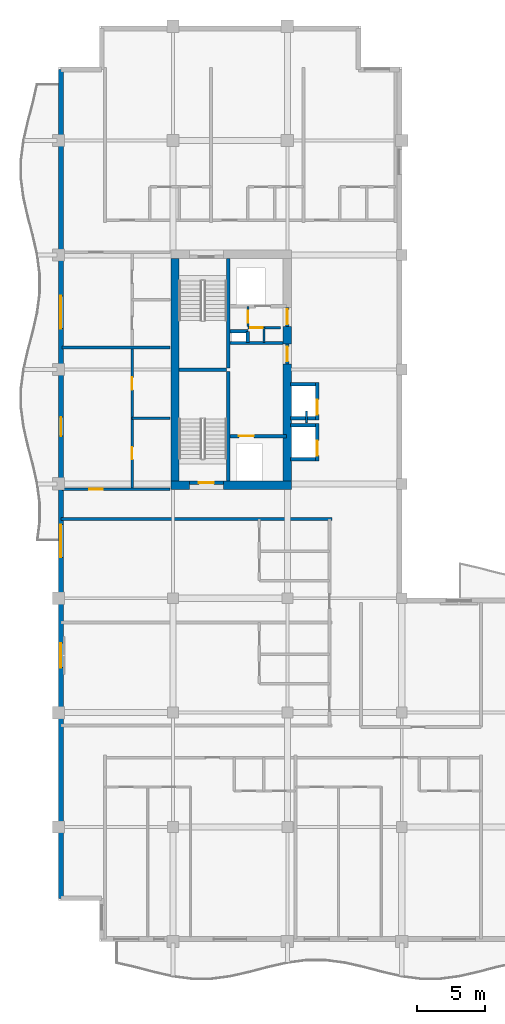
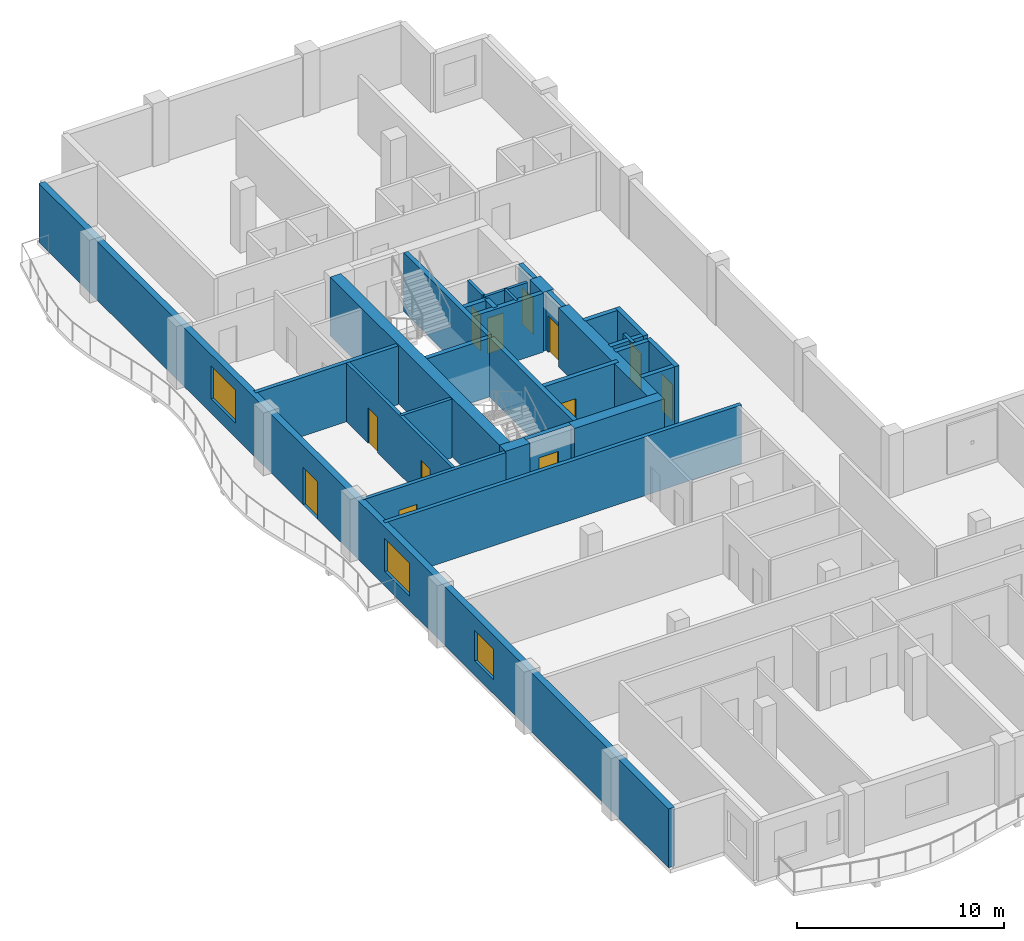
# One storey, part 6 of 12: 31 walls, 12 doors, 3 windows, 15 openings.
"""IFC4 building model written with IfcOpenShell, lengths in metres."""

from ifc_helpers import new_model, si_unit, direction, frame, frame_2d, origin, place, context, subcontext, project, spatial, rectangle, extrude, material, layer, layer_set, type_object, element, fill, save


model = new_model("IFC4")

# Units and contexts
model_context = context("Model", 3, precision=1e-05, world=origin(), true_north=direction((0.0, 1.0)))
body_context = subcontext(model_context, "Body", "Model", "MODEL_VIEW")
ifc_project = project(units=[si_unit("LENGTHUNIT", "METRE"), si_unit("AREAUNIT", "SQUARE_METRE"), si_unit("VOLUMEUNIT", "CUBIC_METRE"), si_unit("PLANEANGLEUNIT", "RADIAN"), si_unit("MASSUNIT", "GRAM", prefix="KILO")], contexts=[model_context])

# Site, building, storey
site_placement = place(None, origin())
site = spatial("IfcSite", under=ifc_project, at=site_placement, CompositionType="ELEMENT")
building_placement = place(site_placement, origin())
building = spatial("IfcBuilding", under=site, at=building_placement, Name="Koriwani Terraces Tower", CompositionType="ELEMENT")
storey_placement = place(building_placement, frame((0.0, 0.0, 263.800048828125)))
storey = spatial("IfcBuildingStorey", under=building, at=storey_placement, Name="L65", CompositionType="ELEMENT", Elevation=263.800048828125)

# Walls
ifc_material_1 = material(Name="Concrete C60/75", Category="concrete")
ifc_layer_1 = layer(ifc_material_1, 0.60009765625, Name="Concrete C60/75")
ifc_layer_set_1 = layer_set([ifc_layer_1], Name="Concrete C60/75")
wall_type_1 = type_object("IfcWallType", Name="WALL_CORE_RC_600", PredefinedType="SHEAR", material=ifc_layer_set_1)
wall_1_placement = place(storey_placement, frame((16.64990234375, 41.89990234375, 0.0), z_axis=(0.0, 0.0, 1.0), x_axis=(1.0, 0.0, 0.0)))
element("IfcWall", 1, at=wall_1_placement, inside=storey, type_object=wall_type_1, Name="L65 West Split Core Shear Wall S1", PredefinedType="SHEAR", context=body_context, shape_type="SweptSolid", body=[
    extrude(rectangle(XDim=1.35009765625, YDim=0.60009765625, at=frame_2d((0.675048828125, 0.0))), origin(), (0.0, 0.0, 1.0), 3.469970703125),
])
wall_2_placement = place(storey_placement, frame((20.5, 41.89990234375, 0.0), z_axis=(0.0, 0.0, 1.0), x_axis=(1.0, 0.0, 0.0)))
element("IfcWall", 2, at=wall_2_placement, inside=storey, type_object=wall_type_1, Name="L65 West Split Core Shear Wall S2", PredefinedType="SHEAR", context=body_context, shape_type="SweptSolid", body=[
    extrude(rectangle(XDim=5.0, YDim=0.60009765625, at=frame_2d((2.5, 0.0))), origin(), (0.0, 0.0, 1.0), 3.469970703125),
])
wall_3_placement = place(storey_placement, frame((16.949951171875, 42.199951171875, 0.0), z_axis=(0.0, 0.0, 1.0), x_axis=(0.0, 1.0, 0.0)))
element("IfcWall", 3, at=wall_3_placement, inside=storey, type_object=wall_type_1, Name="L65 West Split Core Shear Wall W1", PredefinedType="SHEAR", context=body_context, shape_type="SweptSolid", body=[
    extrude(rectangle(XDim=16.35009765625, YDim=0.60009765625, at=frame_2d((8.175048828125, 0.0))), origin(), (0.0, 0.0, 1.0), 3.469970703125),
])
wall_4_placement = place(storey_placement, frame((25.199951171875, 42.199951171875, 0.0), z_axis=(0.0, 0.0, 1.0), x_axis=(0.0, 1.0, 0.0)))
element("IfcWall", 4, at=wall_4_placement, inside=storey, type_object=wall_type_1, Name="L65 West Split Core Shear Wall E1", PredefinedType="SHEAR", context=body_context, shape_type="SweptSolid", body=[
    extrude(rectangle(XDim=8.60009765625, YDim=0.60009765625, at=frame_2d((4.300048828125, 0.0))), origin(), (0.0, 0.0, 1.0), 3.469970703125),
])
wall_5_placement = place(storey_placement, frame((25.199951171875, 52.280029296875, 0.0), z_axis=(0.0, 0.0, 1.0), x_axis=(0.0, 1.0, 0.0)))
element("IfcWall", 5, at=wall_5_placement, inside=storey, type_object=wall_type_1, Name="L65 West Split Core Shear Wall E2", PredefinedType="SHEAR", context=body_context, shape_type="SweptSolid", body=[
    extrude(rectangle(XDim=1.27001953125, YDim=0.60009765625, at=frame_2d((0.635009765625, 0.0))), origin(), (0.0, 0.0, 1.0), 3.469970703125),
])

# Wall, opening, door
ifc_material_2 = material(Name="Autoclaved Cellular Concrete Blockwork", Category="masonry")
ifc_layer_2 = layer(ifc_material_2, 0.199951171875, Name="Autoclaved Cellular Concrete Blockwork")
ifc_layer_set_2 = layer_set([ifc_layer_2], Name="Autoclaved Cellular Concrete Blockwork")
wall_type_2 = type_object("IfcWallType", Name="WALL_CORRIDOR_200", PredefinedType="PARTITIONING", material=ifc_layer_set_2)
wall_6_placement = place(storey_placement, frame((8.64990234375, 41.60009765625, 0.0), z_axis=(0.0, 0.0, 1.0), x_axis=(1.0, 0.0, 0.0)))
wall_6 = element("IfcWall", 6, at=wall_6_placement, inside=storey, type_object=wall_type_2, Name="L65 Interior Wall WRZ4-WS-L65", PredefinedType="PARTITIONING", context=body_context, shape_type="SweptSolid", body=[
    extrude(rectangle(XDim=7.9501953125, YDim=0.199951171875, at=frame_2d((3.97509765625, 0.0))), origin(), (0.0, 0.0, 1.0), 3.469970703125),
])
opening_1_placement = place(wall_6_placement, frame((2.0, 0.0, 0.0)))
opening_1 = element("IfcOpeningElement", 7, at=opening_1_placement, cuts=wall_6, Name="Opening D-05", PredefinedType="OPENING", context=body_context, shape_type="SweptSolid", body=[
    extrude(rectangle(XDim=1.0, YDim=2.14990234375, at=frame_2d((0.5, 1.074951171875))), frame((0.0, 0.10986328125, 0.0), z_axis=(0.0, -1.0, 0.0), x_axis=(1.0, 0.0, 0.0)), (0.0, 0.0, 1.0), 0.219970703125),
])
ifc_material_3 = material(Name="Architectural Oak Fire Door", Category="wood")
door_type_1 = type_object("IfcDoorType", Name="DOOR_SUITE_ENTRY_1000X2150", OperationType="NOTDEFINED", PredefinedType="DOOR", material=ifc_material_3)
door_1_placement = place(opening_1_placement, origin())
door_1 = element("IfcDoor", 8, at=door_1_placement, inside=storey, type_object=door_type_1, Name="Apartment 65RW1 Entrance Door", OperationType="SINGLE_SWING_RIGHT", OverallHeight=2.14990234375, OverallWidth=1.0, PredefinedType="DOOR", context=body_context, shape_type="SweptSolid", body=[
    extrude(rectangle(XDim=1.0, YDim=2.14990234375, at=frame_2d((0.5, 1.074951171875))), frame((0.0, 0.02490234375, 0.0), z_axis=(0.0, -1.0, 0.0), x_axis=(1.0, 0.0, 0.0)), (0.0, 0.0, 1.0), 0.050048828125),
])
fill(opening_1, door_1)

# Walls
ifc_layer_3 = layer(ifc_material_2, 0.219970703125, Name="Autoclaved Cellular Concrete Blockwork")
ifc_layer_set_3 = layer_set([ifc_layer_3], Name="Autoclaved Cellular Concrete Blockwork")
wall_type_3 = type_object("IfcWallType", Name="WALL_DEMISING_220", PredefinedType="PARTITIONING", material=ifc_layer_set_3)
wall_7_placement = place(storey_placement, frame((8.64990234375, 52.0, 0.0), z_axis=(0.0, 0.0, 1.0), x_axis=(1.0, 0.0, 0.0)))
element("IfcWall", 9, at=wall_7_placement, inside=storey, type_object=wall_type_3, Name="L65 Interior Wall WRZ4-WM-L65", PredefinedType="PARTITIONING", context=body_context, shape_type="SweptSolid", body=[
    extrude(rectangle(XDim=7.9501953125, YDim=0.219970703125, at=frame_2d((3.97509765625, 0.0))), origin(), (0.0, 0.0, 1.0), 3.469970703125),
])
wall_8_placement = place(storey_placement, frame((8.60009765625, 39.39990234375, 0.0), z_axis=(0.0, 0.0, 1.0), x_axis=(1.0, 0.0, 0.0)))
element("IfcWall", 10, at=wall_8_placement, inside=storey, type_object=wall_type_3, Name="L65 Interior Wall WRDEME-L65-NE", PredefinedType="PARTITIONING", context=body_context, shape_type="SweptSolid", body=[
    extrude(rectangle(XDim=19.8798828125, YDim=0.219970703125, at=frame_2d((9.93994140625, 0.0))), origin(), (0.0, 0.0, 1.0), 3.469970703125),
])

# Wall, openings, door, windows
ifc_material_4 = material(Name="Concrete C50/60", Category="concrete")
ifc_layer_4 = layer(ifc_material_4, 0.35009765625, Name="Concrete C50/60")
ifc_layer_set_4 = layer_set([ifc_layer_4], Name="Concrete C50/60")
wall_type_4 = type_object("IfcWallType", Name="WALL_EXT_BRUTALIST_350", PredefinedType="STANDARD", material=ifc_layer_set_4)
wall_9_placement = place(storey_placement, frame((8.574951171875, 11.574951171875, 0.0), z_axis=(0.0, 0.0, 1.0), x_axis=(0.0, 1.0, 0.0)))
wall_9 = element("IfcWall", 11, at=wall_9_placement, inside=storey, type_object=wall_type_4, Name="L65 Fair-Faced Brutalist Exterior Wall (W)", PredefinedType="STANDARD", context=body_context, shape_type="SweptSolid", body=[
    extrude(rectangle(XDim=60.85009765625, YDim=0.35009765625, at=frame_2d((30.425048828125, 0.0))), origin(), (0.0, 0.0, 1.0), 3.469970703125),
])
opening_2_placement = place(wall_9_placement, frame((33.925048828125, 0.0, 0.0)))
opening_2 = element("IfcOpeningElement", 12, at=opening_2_placement, cuts=wall_9, Name="Opening D-09", PredefinedType="OPENING", context=body_context, shape_type="SweptSolid", body=[
    extrude(rectangle(XDim=1.39990234375, YDim=2.199951171875, at=frame_2d((0.699951171875, 1.10009765625))), frame((0.0, 0.18505859375, 0.0), z_axis=(0.0, -1.0, 0.0), x_axis=(1.0, 0.0, 0.0)), (0.0, 0.0, 1.0), 0.3701171875),
])
opening_3_placement = place(wall_9_placement, frame((16.925048828125, 0.0, 0.85009765625)))
opening_3 = element("IfcOpeningElement", 13, at=opening_3_placement, cuts=wall_9, Name="Opening W-04", PredefinedType="OPENING", context=body_context, shape_type="SweptSolid", body=[
    extrude(rectangle(XDim=1.800048828125, YDim=1.800048828125, at=frame_2d((0.89990234375, 0.89990234375))), frame((0.0, 0.18505859375, 0.0), z_axis=(0.0, -1.0, 0.0), x_axis=(1.0, 0.0, 0.0)), (0.0, 0.0, 1.0), 0.3701171875),
])
opening_4_placement = place(wall_9_placement, frame((25.02490234375, 0.0, 0.85009765625)))
opening_4 = element("IfcOpeningElement", 14, at=opening_4_placement, cuts=wall_9, Name="Opening W-03", PredefinedType="OPENING", context=body_context, shape_type="SweptSolid", body=[
    extrude(rectangle(XDim=2.39990234375, YDim=1.949951171875, at=frame_2d((1.199951171875, 0.97509765625))), frame((0.0, 0.18505859375, 0.0), z_axis=(0.0, -1.0, 0.0), x_axis=(1.0, 0.0, 0.0)), (0.0, 0.0, 1.0), 0.3701171875),
])
opening_5_placement = place(wall_9_placement, frame((41.824951171875, 0.0, 0.85009765625)))
opening_5 = element("IfcOpeningElement", 15, at=opening_5_placement, cuts=wall_9, Name="Opening W-03", PredefinedType="OPENING", context=body_context, shape_type="SweptSolid", body=[
    extrude(rectangle(XDim=2.39990234375, YDim=1.949951171875, at=frame_2d((1.199951171875, 0.97509765625))), frame((0.0, 0.18505859375, 0.0), z_axis=(0.0, -1.0, 0.0), x_axis=(1.0, 0.0, 0.0)), (0.0, 0.0, 1.0), 0.3701171875),
])
ifc_material_5 = material(Name="Anodised Bronze Aluminium", Category="aluminium")
door_type_2 = type_object("IfcDoorType", Name="DOOR_BALCONY_GLAZED_1400X2200", OperationType="NOTDEFINED", PredefinedType="DOOR", material=ifc_material_5)
door_2_placement = place(opening_2_placement, origin())
door_2 = element("IfcDoor", 16, at=door_2_placement, inside=storey, type_object=door_type_2, Name="L65 West Balcony Glazed Door", OperationType="SINGLE_SWING_LEFT", OverallHeight=2.199951171875, OverallWidth=1.39990234375, PredefinedType="DOOR", context=body_context, shape_type="SweptSolid", body=[
    extrude(rectangle(XDim=1.39990234375, YDim=2.199951171875, at=frame_2d((0.699951171875, 1.10009765625))), frame((0.0, 0.02490234375, 0.0), z_axis=(0.0, -1.0, 0.0), x_axis=(1.0, 0.0, 0.0)), (0.0, 0.0, 1.0), 0.050048828125),
])
fill(opening_2, door_2)
ifc_material_6 = material(Name="Tempered Laminated Low-E Glass", Category="glass")
window_type_1 = type_object("IfcWindowType", Name="WIN_RES_BED_1800X1800", PartitioningType="DOUBLE_PANEL_VERTICAL", PredefinedType="WINDOW", material=ifc_material_6)
window_1_placement = place(opening_3_placement, origin())
window_1 = element("IfcWindow", 17, at=window_1_placement, inside=storey, type_object=window_type_1, Name="L65 Exterior Window (W-6)", OverallHeight=1.800048828125, OverallWidth=1.800048828125, PartitioningType="SINGLE_PANEL", PredefinedType="WINDOW", context=body_context, shape_type="SweptSolid", body=[
    extrude(rectangle(XDim=1.800048828125, YDim=1.800048828125, at=frame_2d((0.89990234375, 0.89990234375))), frame((0.0, 0.030029296875, 0.0), z_axis=(0.0, -1.0, 0.0), x_axis=(1.0, 0.0, 0.0)), (0.0, 0.0, 1.0), 0.06005859375),
])
fill(opening_3, window_1)
window_type_2 = type_object("IfcWindowType", Name="WIN_RES_LIVING_2400X1950", PartitioningType="DOUBLE_PANEL_VERTICAL", PredefinedType="WINDOW", material=ifc_material_6)
window_2_placement = place(opening_4_placement, origin())
window_2 = element("IfcWindow", 18, at=window_2_placement, inside=storey, type_object=window_type_2, Name="L65 Exterior Window (W-9)", OverallHeight=1.949951171875, OverallWidth=2.39990234375, PartitioningType="SINGLE_PANEL", PredefinedType="WINDOW", context=body_context, shape_type="SweptSolid", body=[
    extrude(rectangle(XDim=2.39990234375, YDim=1.949951171875, at=frame_2d((1.199951171875, 0.97509765625))), frame((0.0, 0.030029296875, 0.0), z_axis=(0.0, -1.0, 0.0), x_axis=(1.0, 0.0, 0.0)), (0.0, 0.0, 1.0), 0.06005859375),
])
fill(opening_4, window_2)
window_3_placement = place(opening_5_placement, origin())
window_3 = element("IfcWindow", 19, at=window_3_placement, inside=storey, type_object=window_type_2, Name="L65 Exterior Window (W-15)", OverallHeight=1.949951171875, OverallWidth=2.39990234375, PartitioningType="SINGLE_PANEL", PredefinedType="WINDOW", context=body_context, shape_type="SweptSolid", body=[
    extrude(rectangle(XDim=2.39990234375, YDim=1.949951171875, at=frame_2d((1.199951171875, 0.97509765625))), frame((0.0, 0.030029296875, 0.0), z_axis=(0.0, -1.0, 0.0), x_axis=(1.0, 0.0, 0.0)), (0.0, 0.0, 1.0), 0.06005859375),
])
fill(opening_5, window_3)

# Wall, openings, doors
ifc_material_7 = material(Name="Fire-Rated Acoustic Gypsum Partition", Category="masonry")
ifc_layer_5 = layer(ifc_material_7, 0.179931640625, Name="Fire-Rated Acoustic Gypsum Partition")
ifc_layer_set_5 = layer_set([ifc_layer_5], Name="Fire-Rated Acoustic Gypsum Partition")
wall_type_5 = type_object("IfcWallType", Name="WALL_PLUMBING_180", PredefinedType="PLUMBINGWALL", material=ifc_layer_set_5)
wall_10_placement = place(storey_placement, frame((13.800048828125, 41.699951171875, 0.0), z_axis=(0.0, 0.0, 1.0), x_axis=(0.0, 1.0, 0.0)))
wall_10 = element("IfcWall", 20, at=wall_10_placement, inside=storey, type_object=wall_type_5, Name="L65 Interior Wall WRZ4-RW1-PB-L65", PredefinedType="PLUMBINGWALL", context=body_context, shape_type="SweptSolid", body=[
    extrude(rectangle(XDim=10.199951171875, YDim=0.179931640625, at=frame_2d((5.10009765625, 0.0))), origin(), (0.0, 0.0, 1.0), 3.469970703125),
])
opening_6_placement = place(wall_10_placement, frame((2.10009765625, 0.0, 0.0)))
opening_6 = element("IfcOpeningElement", 21, at=opening_6_placement, cuts=wall_10, Name="Opening D-07", PredefinedType="OPENING", context=body_context, shape_type="SweptSolid", body=[
    extrude(rectangle(XDim=0.89990234375, YDim=2.10009765625, at=frame_2d((0.449951171875, 1.050048828125))), frame((0.0, 0.10009765625, 0.0), z_axis=(0.0, -1.0, 0.0), x_axis=(1.0, 0.0, 0.0)), (0.0, 0.0, 1.0), 0.199951171875),
])
opening_7_placement = place(wall_10_placement, frame((7.18994140625, 0.0, 0.0)))
opening_7 = element("IfcOpeningElement", 22, at=opening_7_placement, cuts=wall_10, Name="Opening D-06", PredefinedType="OPENING", context=body_context, shape_type="SweptSolid", body=[
    extrude(rectangle(XDim=0.919921875, YDim=2.10009765625, at=frame_2d((0.4599609375, 1.050048828125))), frame((0.0, 0.10009765625, 0.0), z_axis=(0.0, -1.0, 0.0), x_axis=(1.0, 0.0, 0.0)), (0.0, 0.0, 1.0), 0.199951171875),
])
door_type_3 = type_object("IfcDoorType", Name="DOOR_BATH_INT_900X2100", OperationType="NOTDEFINED", PredefinedType="DOOR", material=ifc_material_3)
door_3_placement = place(opening_6_placement, origin())
door_3 = element("IfcDoor", 23, at=door_3_placement, inside=storey, type_object=door_type_3, Name="Apartment 65RW1 Bathroom Door", OperationType="SINGLE_SWING_RIGHT", OverallHeight=2.10009765625, OverallWidth=0.89990234375, PredefinedType="DOOR", context=body_context, shape_type="SweptSolid", body=[
    extrude(rectangle(XDim=0.89990234375, YDim=2.10009765625, at=frame_2d((0.449951171875, 1.050048828125))), frame((0.0, 0.02490234375, 0.0), z_axis=(0.0, -1.0, 0.0), x_axis=(1.0, 0.0, 0.0)), (0.0, 0.0, 1.0), 0.050048828125),
])
fill(opening_6, door_3)
door_type_4 = type_object("IfcDoorType", Name="DOOR_ROOM_INT_920X2100", OperationType="NOTDEFINED", PredefinedType="DOOR", material=ifc_material_3)
door_4_placement = place(opening_7_placement, origin())
door_4 = element("IfcDoor", 24, at=door_4_placement, inside=storey, type_object=door_type_4, Name="Apartment 65RW1 Kitchen Door", OperationType="SINGLE_SWING_LEFT", OverallHeight=2.10009765625, OverallWidth=0.919921875, PredefinedType="DOOR", context=body_context, shape_type="SweptSolid", body=[
    extrude(rectangle(XDim=0.919921875, YDim=2.10009765625, at=frame_2d((0.4599609375, 1.050048828125))), frame((0.0, 0.02490234375, 0.0), z_axis=(0.0, -1.0, 0.0), x_axis=(1.0, 0.0, 0.0)), (0.0, 0.0, 1.0), 0.050048828125),
])
fill(opening_7, door_4)

# Walls
wall_11_placement = place(storey_placement, frame((13.800048828125, 46.800048828125, 0.0), z_axis=(0.0, 0.0, 1.0), x_axis=(1.0, 0.0, 0.0)))
element("IfcWall", 25, at=wall_11_placement, inside=storey, type_object=wall_type_5, Name="L65 Interior Wall WRZ4-RW1-P2-L65", PredefinedType="PLUMBINGWALL", context=body_context, shape_type="SweptSolid", body=[
    extrude(rectangle(XDim=2.800048828125, YDim=0.179931640625, at=frame_2d((1.39990234375, 0.0))), origin(), (0.0, 0.0, 1.0), 3.469970703125),
])
ifc_material_8 = material(Name="Concrete C40/50", Category="concrete")
ifc_layer_6 = layer(ifc_material_8, 0.25, Name="Concrete C40/50")
ifc_layer_set_6 = layer_set([ifc_layer_6], Name="Concrete C40/50")
wall_type_6 = type_object("IfcWallType", Name="WALL_SHAFT_RATED_250", PredefinedType="SOLIDWALL", material=ifc_layer_set_6)
for number, where, z_axis, x_axis, name in (
    (26, (20.875, 42.199951171875, 0.0), (0.0, 0.0, 1.0), (0.0, 1.0, 0.0), "L65 West Split Core Web Wall MID1"),
    (27, (20.875, 50.5, 0.0), (0.0, 0.0, 1.0), (0.0, 1.0, 0.0), "L65 West Split Core Web Wall MID2"),
):
    element("IfcWall", number, at=place(storey_placement, frame(where, z_axis=z_axis, x_axis=x_axis)), inside=storey, type_object=wall_type_6, Name=name, PredefinedType="SOLIDWALL", context=body_context, shape_type="SweptSolid", body=[
        extrude(rectangle(XDim=8.050048828125, YDim=0.25, at=frame_2d((4.02490234375, 0.0))), origin(), (0.0, 0.0, 1.0), 3.469970703125),
    ])
wall_12_placement = place(storey_placement, frame((17.25, 50.375, 0.0), z_axis=(0.0, 0.0, 1.0), x_axis=(1.0, 0.0, 0.0)))
element("IfcWall", 28, at=wall_12_placement, inside=storey, type_object=wall_type_6, Name="L65 West Split Core Stair Dividing Wall", PredefinedType="SOLIDWALL", context=body_context, shape_type="SweptSolid", body=[
    extrude(rectangle(XDim=3.5, YDim=0.25, at=frame_2d((1.75, 0.0))), origin(), (0.0, 0.0, 1.0), 3.469970703125),
])

# Wall, opening, door
wall_13_placement = place(storey_placement, frame((18.0, 42.074951171875, 0.0), z_axis=(0.0, 0.0, 1.0), x_axis=(1.0, 0.0, 0.0)))
wall_13 = element("IfcWall", 29, at=wall_13_placement, inside=storey, type_object=wall_type_6, Name="L65 Interior Wall WIN-CW-L65-STS", PredefinedType="SOLIDWALL", context=body_context, shape_type="SweptSolid", body=[
    extrude(rectangle(XDim=2.5, YDim=0.25, at=frame_2d((1.25, 0.0))), origin(), (0.0, 0.0, 1.0), 3.469970703125),
])
opening_8_placement = place(wall_13_placement, frame((0.699951171875, 0.0, 0.0)))
opening_8 = element("IfcOpeningElement", 30, at=opening_8_placement, cuts=wall_13, Name="Opening D-03", PredefinedType="OPENING", context=body_context, shape_type="SweptSolid", body=[
    extrude(rectangle(XDim=1.10009765625, YDim=2.14990234375, at=frame_2d((0.550048828125, 1.074951171875))), frame((0.0, 0.135009765625, 0.0), z_axis=(0.0, -1.0, 0.0), x_axis=(1.0, 0.0, 0.0)), (0.0, 0.0, 1.0), 0.27001953125),
])
ifc_material_9 = material(Name="Steel ASTM A572 Grade 50", Category="steel")
door_type_5 = type_object("IfcDoorType", Name="DOOR_STAIR_FIRE_1100X2150", OperationType="NOTDEFINED", PredefinedType="DOOR", material=ifc_material_9)
door_5_placement = place(opening_8_placement, origin())
door_5 = element("IfcDoor", 31, at=door_5_placement, inside=storey, type_object=door_type_5, Name="L65 Exit Stair ST-W1 Door", OperationType="SINGLE_SWING_LEFT", OverallHeight=2.14990234375, OverallWidth=1.10009765625, PredefinedType="DOOR", context=body_context, shape_type="SweptSolid", body=[
    extrude(rectangle(XDim=1.10009765625, YDim=2.14990234375, at=frame_2d((0.550048828125, 1.074951171875))), frame((0.0, 0.02490234375, 0.0), z_axis=(0.0, -1.0, 0.0), x_axis=(1.0, 0.0, 0.0)), (0.0, 0.0, 1.0), 0.050048828125),
])
fill(opening_8, door_5)

wall_14_placement = place(storey_placement, frame((21.0, 45.5, 0.0), z_axis=(0.0, 0.0, 1.0), x_axis=(1.0, 0.0, 0.0)))
wall_14 = element("IfcWall", 32, at=wall_14_placement, inside=storey, type_object=wall_type_6, Name="L65 Interior Wall WIN-CW-L65-FE", PredefinedType="SOLIDWALL", context=body_context, shape_type="SweptSolid", body=[
    extrude(rectangle(XDim=4.14990234375, YDim=0.25, at=frame_2d((2.074951171875, 0.0))), origin(), (0.0, 0.0, 1.0), 3.469970703125),
])
opening_9_placement = place(wall_14_placement, frame((0.64990234375, 0.0, 0.0)))
opening_9 = element("IfcOpeningElement", 33, at=opening_9_placement, cuts=wall_14, Name="Opening LD-01", PredefinedType="OPENING", context=body_context, shape_type="SweptSolid", body=[
    extrude(rectangle(XDim=1.10009765625, YDim=2.14990234375, at=frame_2d((0.550048828125, 1.074951171875))), frame((0.0, 0.135009765625, 0.0), z_axis=(0.0, -1.0, 0.0), x_axis=(1.0, 0.0, 0.0)), (0.0, 0.0, 1.0), 0.27001953125),
])
door_type_6 = type_object("IfcDoorType", Name="DOOR_LIFT_LANDING_1100X2200", OperationType="NOTDEFINED", PredefinedType="DOOR", material=ifc_material_9)
door_6_placement = place(opening_9_placement, origin())
door_6 = element("IfcDoor", 34, at=door_6_placement, inside=storey, type_object=door_type_6, Name="L65 Firefighting Lift FE-01 Landing Door", OperationType="SLIDING_TO_LEFT", OverallHeight=2.14990234375, OverallWidth=1.10009765625, PredefinedType="DOOR", context=body_context, shape_type="SweptSolid", body=[
    extrude(rectangle(XDim=1.10009765625, YDim=2.14990234375, at=frame_2d((0.550048828125, 1.074951171875))), frame((0.0, 0.02490234375, 0.0), z_axis=(0.0, -1.0, 0.0), x_axis=(1.0, 0.0, 0.0)), (0.0, 0.0, 1.0), 0.050048828125),
])
fill(opening_9, door_6)

wall_15_placement = place(storey_placement, frame((25.199951171875, 50.800048828125, 0.0), z_axis=(0.0, 0.0, 1.0), x_axis=(0.0, 1.0, 0.0)))
wall_15 = element("IfcWall", 35, at=wall_15_placement, inside=storey, type_object=wall_type_6, Name="L65 Interior Wall WIN-CW-L65-EP", PredefinedType="SOLIDWALL", context=body_context, shape_type="SweptSolid", body=[
    extrude(rectangle(XDim=1.47998046875, YDim=0.25, at=frame_2d((0.739990234375, 0.0))), origin(), (0.0, 0.0, 1.0), 3.469970703125),
])
opening_10_placement = place(wall_15_placement, frame((0.179931640625, 0.0, 0.0)))
opening_10 = element("IfcOpeningElement", 36, at=opening_10_placement, cuts=wall_15, Name="Opening D-03", PredefinedType="OPENING", context=body_context, shape_type="SweptSolid", body=[
    extrude(rectangle(XDim=1.10009765625, YDim=2.14990234375, at=frame_2d((0.550048828125, 1.074951171875))), frame((0.0, 0.135009765625, 0.0), z_axis=(0.0, -1.0, 0.0), x_axis=(1.0, 0.0, 0.0)), (0.0, 0.0, 1.0), 0.27001953125),
])
door_7_placement = place(opening_10_placement, origin())
door_7 = element("IfcDoor", 37, at=door_7_placement, inside=storey, type_object=door_type_5, Name="L65 West Firefighting Lobby Door", OperationType="SINGLE_SWING_LEFT", OverallHeight=2.14990234375, OverallWidth=1.10009765625, PredefinedType="DOOR", context=body_context, shape_type="SweptSolid", body=[
    extrude(rectangle(XDim=1.10009765625, YDim=2.14990234375, at=frame_2d((0.550048828125, 1.074951171875))), frame((0.0, 0.02490234375, 0.0), z_axis=(0.0, -1.0, 0.0), x_axis=(1.0, 0.0, 0.0)), (0.0, 0.0, 1.0), 0.050048828125),
])
fill(opening_10, door_7)

# Wall
wall_16_placement = place(storey_placement, frame((21.0, 52.340087890625, 0.0), z_axis=(0.0, 0.0, 1.0), x_axis=(1.0, 0.0, 0.0)))
element("IfcWall", 38, at=wall_16_placement, inside=storey, type_object=wall_type_6, Name="L65 Interior Wall WIN-CW-L65-FFN", PredefinedType="SOLIDWALL", context=body_context, shape_type="SweptSolid", body=[
    extrude(rectangle(XDim=3.89990234375, YDim=0.25, at=frame_2d((1.949951171875, 0.0))), origin(), (0.0, 0.0, 1.0), 3.469970703125),
])

# Wall, opening, door
wall_17_placement = place(storey_placement, frame((25.199951171875, 53.550048828125, 0.0), z_axis=(0.0, 0.0, 1.0), x_axis=(0.0, 1.0, 0.0)))
wall_17 = element("IfcWall", 39, at=wall_17_placement, inside=storey, type_object=wall_type_6, Name="L65 Interior Wall WIN-CW-L65-EP2", PredefinedType="SOLIDWALL", context=body_context, shape_type="SweptSolid", body=[
    extrude(rectangle(XDim=1.39990234375, YDim=0.25, at=frame_2d((0.699951171875, 0.0))), origin(), (0.0, 0.0, 1.0), 3.469970703125),
])
opening_11_placement = place(wall_17_placement, frame((0.14990234375, 0.0, 0.0)))
opening_11 = element("IfcOpeningElement", 40, at=opening_11_placement, cuts=wall_17, Name="Opening D-03", PredefinedType="OPENING", context=body_context, shape_type="SweptSolid", body=[
    extrude(rectangle(XDim=1.10009765625, YDim=2.14990234375, at=frame_2d((0.550048828125, 1.074951171875))), frame((0.0, 0.135009765625, 0.0), z_axis=(0.0, -1.0, 0.0), x_axis=(1.0, 0.0, 0.0)), (0.0, 0.0, 1.0), 0.27001953125),
])
door_8_placement = place(opening_11_placement, origin())
door_8 = element("IfcDoor", 41, at=door_8_placement, inside=storey, type_object=door_type_5, Name="L65 West Goods Lift Lobby Door", OperationType="SINGLE_SWING_RIGHT", OverallHeight=2.14990234375, OverallWidth=1.10009765625, PredefinedType="DOOR", context=body_context, shape_type="SweptSolid", body=[
    extrude(rectangle(XDim=1.10009765625, YDim=2.14990234375, at=frame_2d((0.550048828125, 1.074951171875))), frame((0.0, 0.02490234375, 0.0), z_axis=(0.0, -1.0, 0.0), x_axis=(1.0, 0.0, 0.0)), (0.0, 0.0, 1.0), 0.050048828125),
])
fill(opening_11, door_8)

# Walls
wall_18_placement = place(storey_placement, frame((21.0, 53.199951171875, 0.0), z_axis=(0.0, 0.0, 1.0), x_axis=(1.0, 0.0, 0.0)))
element("IfcWall", 42, at=wall_18_placement, inside=storey, type_object=wall_type_6, Name="L65 Interior Wall WIN-CW-L65-RS1", PredefinedType="SOLIDWALL", context=body_context, shape_type="SweptSolid", body=[
    extrude(rectangle(XDim=1.300048828125, YDim=0.25, at=frame_2d((0.64990234375, 0.0))), origin(), (0.0, 0.0, 1.0), 3.469970703125),
])
wall_19_placement = place(storey_placement, frame((22.300048828125, 52.360107421875, 0.0), z_axis=(0.0, 0.0, 1.0), x_axis=(0.0, 1.0, 0.0)))
element("IfcWall", 43, at=wall_19_placement, inside=storey, type_object=wall_type_6, Name="L65 Interior Wall WIN-CW-L65-RS2", PredefinedType="SOLIDWALL", context=body_context, shape_type="SweptSolid", body=[
    extrude(rectangle(XDim=0.83984375, YDim=0.25, at=frame_2d((0.419921875, 0.0))), origin(), (0.0, 0.0, 1.0), 3.469970703125),
])

# Wall, opening, door
wall_20_placement = place(storey_placement, frame((27.39990234375, 43.675048828125, 0.0), z_axis=(0.0, 0.0, 1.0), x_axis=(0.0, 1.0, 0.0)))
wall_20 = element("IfcWall", 44, at=wall_20_placement, inside=storey, type_object=wall_type_6, Name="L65 Interior Wall WIN-LF-PE-H1-L65-F", PredefinedType="SOLIDWALL", context=body_context, shape_type="SweptSolid", body=[
    extrude(rectangle(XDim=2.75, YDim=0.25, at=frame_2d((1.375, 0.0))), origin(), (0.0, 0.0, 1.0), 3.469970703125),
])
opening_12_placement = place(wall_20_placement, frame((0.39990234375, 0.0, 0.0)))
opening_12 = element("IfcOpeningElement", 45, at=opening_12_placement, cuts=wall_20, Name="Opening LD-01", PredefinedType="OPENING", context=body_context, shape_type="SweptSolid", body=[
    extrude(rectangle(XDim=1.10009765625, YDim=2.14990234375, at=frame_2d((0.550048828125, 1.074951171875))), frame((0.0, 0.135009765625, 0.0), z_axis=(0.0, -1.0, 0.0), x_axis=(1.0, 0.0, 0.0)), (0.0, 0.0, 1.0), 0.27001953125),
])
door_9_placement = place(opening_12_placement, origin())
door_9 = element("IfcDoor", 46, at=door_9_placement, inside=storey, type_object=door_type_6, Name="L65 Passenger Lift PE-H1 Landing Door", OperationType="SLIDING_TO_LEFT", OverallHeight=2.14990234375, OverallWidth=1.10009765625, PredefinedType="DOOR", context=body_context, shape_type="SweptSolid", body=[
    extrude(rectangle(XDim=1.10009765625, YDim=2.14990234375, at=frame_2d((0.550048828125, 1.074951171875))), frame((0.0, 0.02490234375, 0.0), z_axis=(0.0, -1.0, 0.0), x_axis=(1.0, 0.0, 0.0)), (0.0, 0.0, 1.0), 0.050048828125),
])
fill(opening_12, door_9)

# Walls
for number, where, z_axis, x_axis, name in (
    (47, (25.449951171875, 43.800048828125, 0.0), (0.0, 0.0, 1.0), (1.0, 0.0, 0.0), "L65 Interior Wall WIN-LF-PE-H1-L65-S"),
    (48, (25.449951171875, 46.300048828125, 0.0), (0.0, 0.0, 1.0), (1.0, 0.0, 0.0), "L65 Interior Wall WIN-LF-PE-H1-L65-N"),
):
    element("IfcWall", number, at=place(storey_placement, frame(where, z_axis=z_axis, x_axis=x_axis)), inside=storey, type_object=wall_type_6, Name=name, PredefinedType="SOLIDWALL", context=body_context, shape_type="SweptSolid", body=[
        extrude(rectangle(XDim=1.824951171875, YDim=0.25, at=frame_2d((0.91259765625, 0.0))), origin(), (0.0, 0.0, 1.0), 3.469970703125),
    ])

# Wall, opening, door
wall_21_placement = place(storey_placement, frame((27.39990234375, 46.675048828125, 0.0), z_axis=(0.0, 0.0, 1.0), x_axis=(0.0, 1.0, 0.0)))
wall_21 = element("IfcWall", 49, at=wall_21_placement, inside=storey, type_object=wall_type_6, Name="L65 Interior Wall WIN-LF-PE-H2-L65-F", PredefinedType="SOLIDWALL", context=body_context, shape_type="SweptSolid", body=[
    extrude(rectangle(XDim=2.75, YDim=0.25, at=frame_2d((1.375, 0.0))), origin(), (0.0, 0.0, 1.0), 3.469970703125),
])
opening_13_placement = place(wall_21_placement, frame((0.39990234375, 0.0, 0.0)))
opening_13 = element("IfcOpeningElement", 50, at=opening_13_placement, cuts=wall_21, Name="Opening LD-01", PredefinedType="OPENING", context=body_context, shape_type="SweptSolid", body=[
    extrude(rectangle(XDim=1.10009765625, YDim=2.14990234375, at=frame_2d((0.550048828125, 1.074951171875))), frame((0.0, 0.135009765625, 0.0), z_axis=(0.0, -1.0, 0.0), x_axis=(1.0, 0.0, 0.0)), (0.0, 0.0, 1.0), 0.27001953125),
])
door_10_placement = place(opening_13_placement, origin())
door_10 = element("IfcDoor", 51, at=door_10_placement, inside=storey, type_object=door_type_6, Name="L65 Passenger Lift PE-H2 Landing Door", OperationType="SLIDING_TO_LEFT", OverallHeight=2.14990234375, OverallWidth=1.10009765625, PredefinedType="DOOR", context=body_context, shape_type="SweptSolid", body=[
    extrude(rectangle(XDim=1.10009765625, YDim=2.14990234375, at=frame_2d((0.550048828125, 1.074951171875))), frame((0.0, 0.02490234375, 0.0), z_axis=(0.0, -1.0, 0.0), x_axis=(1.0, 0.0, 0.0)), (0.0, 0.0, 1.0), 0.050048828125),
])
fill(opening_13, door_10)

# Walls
for number, where, z_axis, x_axis, name in (
    (52, (25.449951171875, 46.800048828125, 0.0), (0.0, 0.0, 1.0), (1.0, 0.0, 0.0), "L65 Interior Wall WIN-LF-PE-H2-L65-S"),
    (53, (25.449951171875, 49.300048828125, 0.0), (0.0, 0.0, 1.0), (1.0, 0.0, 0.0), "L65 Interior Wall WIN-LF-PE-H2-L65-N"),
):
    element("IfcWall", number, at=place(storey_placement, frame(where, z_axis=z_axis, x_axis=x_axis)), inside=storey, type_object=wall_type_6, Name=name, PredefinedType="SOLIDWALL", context=body_context, shape_type="SweptSolid", body=[
        extrude(rectangle(XDim=1.824951171875, YDim=0.25, at=frame_2d((0.91259765625, 0.0))), origin(), (0.0, 0.0, 1.0), 3.469970703125),
    ])

# Wall, opening, door
ifc_layer_7 = layer(ifc_material_7, 0.159912109375, Name="Fire-Rated Acoustic Gypsum Partition")
ifc_layer_set_7 = layer_set([ifc_layer_7], Name="Fire-Rated Acoustic Gypsum Partition")
wall_type_7 = type_object("IfcWallType", Name="WALL_SUITE_160", PredefinedType="PARTITIONING", material=ifc_layer_set_7)
wall_22_placement = place(storey_placement, frame((22.320068359375, 53.56005859375, 0.0), z_axis=(0.0, 0.0, 1.0), x_axis=(0.0, 1.0, 0.0)))
wall_22 = element("IfcWall", 54, at=wall_22_placement, inside=storey, type_object=wall_type_7, Name="L65 Interior Wall WIN-CW-L65-SV2A", PredefinedType="PARTITIONING", context=body_context, shape_type="SweptSolid", body=[
    extrude(rectangle(XDim=1.43994140625, YDim=0.159912109375, at=frame_2d((0.719970703125, 0.0))), origin(), (0.0, 0.0, 1.0), 3.469970703125),
])
opening_14_placement = place(wall_22_placement, frame((0.260009765625, 0.0, 0.0)))
opening_14 = element("IfcOpeningElement", 55, at=opening_14_placement, cuts=wall_22, Name="Opening D-07", PredefinedType="OPENING", context=body_context, shape_type="SweptSolid", body=[
    extrude(rectangle(XDim=0.89990234375, YDim=2.10009765625, at=frame_2d((0.449951171875, 1.050048828125))), frame((0.0, 0.08984375, 0.0), z_axis=(0.0, -1.0, 0.0), x_axis=(1.0, 0.0, 0.0)), (0.0, 0.0, 1.0), 0.179931640625),
])
door_11_placement = place(opening_14_placement, origin())
door_11 = element("IfcDoor", 56, at=door_11_placement, inside=storey, type_object=door_type_3, Name="L65 West Meter Room Door", OperationType="SINGLE_SWING_LEFT", OverallHeight=2.10009765625, OverallWidth=0.89990234375, PredefinedType="DOOR", context=body_context, shape_type="SweptSolid", body=[
    extrude(rectangle(XDim=0.89990234375, YDim=2.10009765625, at=frame_2d((0.449951171875, 1.050048828125))), frame((0.0, 0.02490234375, 0.0), z_axis=(0.0, -1.0, 0.0), x_axis=(1.0, 0.0, 0.0)), (0.0, 0.0, 1.0), 0.050048828125),
])
fill(opening_14, door_11)

wall_23_placement = place(storey_placement, frame((22.320068359375, 53.4599609375, 0.0), z_axis=(0.0, 0.0, 1.0), x_axis=(1.0, 0.0, 0.0)))
wall_23 = element("IfcWall", 57, at=wall_23_placement, inside=storey, type_object=wall_type_7, Name="L65 Interior Wall WIN-CW-L65-SV2H", PredefinedType="PARTITIONING", context=body_context, shape_type="SweptSolid", body=[
    extrude(rectangle(XDim=2.35986328125, YDim=0.159912109375, at=frame_2d((1.179931640625, 0.0))), origin(), (0.0, 0.0, 1.0), 3.469970703125),
])
opening_15_placement = place(wall_23_placement, frame((0.159912109375, 0.0, 0.0)))
opening_15 = element("IfcOpeningElement", 58, at=opening_15_placement, cuts=wall_23, Name="Opening D-07", PredefinedType="OPENING", context=body_context, shape_type="SweptSolid", body=[
    extrude(rectangle(XDim=0.89990234375, YDim=2.10009765625, at=frame_2d((0.449951171875, 1.050048828125))), frame((0.0, 0.08984375, 0.0), z_axis=(0.0, -1.0, 0.0), x_axis=(1.0, 0.0, 0.0)), (0.0, 0.0, 1.0), 0.179931640625),
])
door_12_placement = place(opening_15_placement, origin())
door_12 = element("IfcDoor", 59, at=door_12_placement, inside=storey, type_object=door_type_3, Name="L65 West Valve Room Door", OperationType="SINGLE_SWING_RIGHT", OverallHeight=2.10009765625, OverallWidth=0.89990234375, PredefinedType="DOOR", context=body_context, shape_type="SweptSolid", body=[
    extrude(rectangle(XDim=0.89990234375, YDim=2.10009765625, at=frame_2d((0.449951171875, 1.050048828125))), frame((0.0, 0.02490234375, 0.0), z_axis=(0.0, -1.0, 0.0), x_axis=(1.0, 0.0, 0.0)), (0.0, 0.0, 1.0), 0.050048828125),
])
fill(opening_15, door_12)

# Walls
wall_24_placement = place(storey_placement, frame((23.47998046875, 52.360107421875, 0.0), z_axis=(0.0, 0.0, 1.0), x_axis=(0.0, 1.0, 0.0)))
element("IfcWall", 60, at=wall_24_placement, inside=storey, type_object=wall_type_7, Name="L65 Interior Wall WIN-CW-L65-SV2V", PredefinedType="PARTITIONING", context=body_context, shape_type="SweptSolid", body=[
    extrude(rectangle(XDim=1.099853515625, YDim=0.159912109375, at=frame_2d((0.5498046875, 0.0))), origin(), (0.0, 0.0, 1.0), 3.469970703125),
])
wall_25_placement = place(storey_placement, frame((26.60009765625, 46.4599609375, 0.0), z_axis=(0.0, 0.0, 1.0), x_axis=(0.0, 1.0, 0.0)))
element("IfcWall", 61, at=wall_25_placement, inside=storey, type_object=wall_type_7, Name="L65 Interior Wall WIN-LF-PEH12-MID-L65", PredefinedType="PARTITIONING", context=body_context, shape_type="SweptSolid", body=[
    extrude(rectangle(XDim=0.880126953125, YDim=0.159912109375, at=frame_2d((0.43994140625, 0.0))), origin(), (0.0, 0.0, 1.0), 3.469970703125),
])

save(model, "model.ifc")
